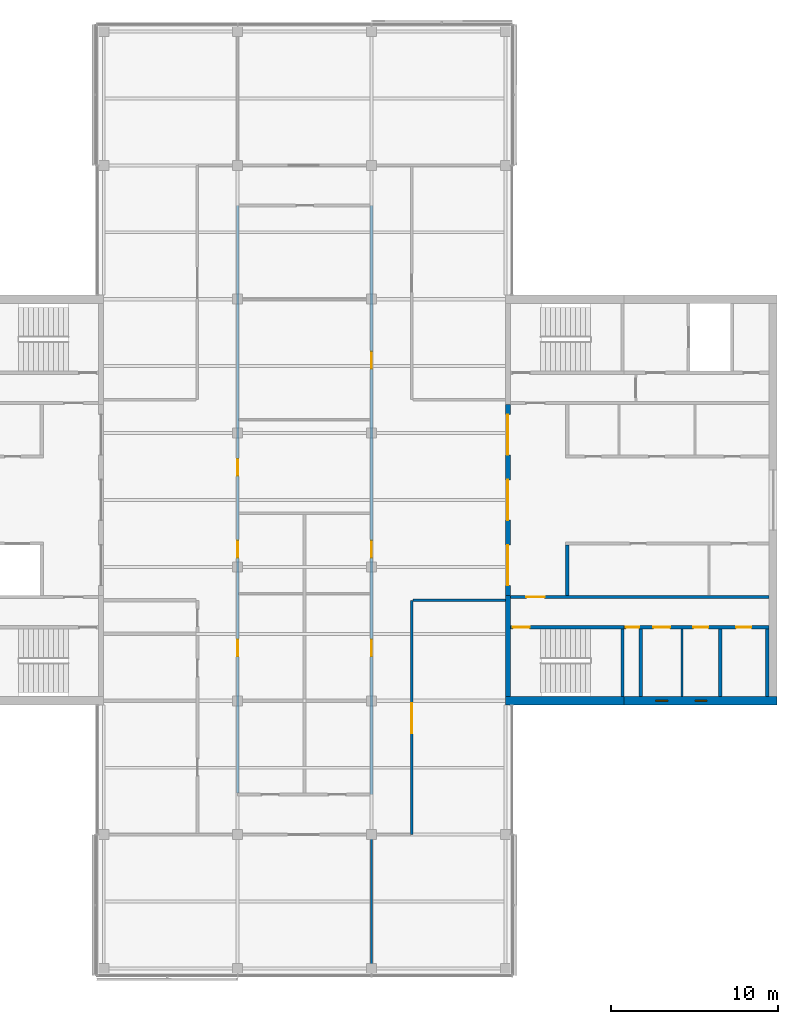
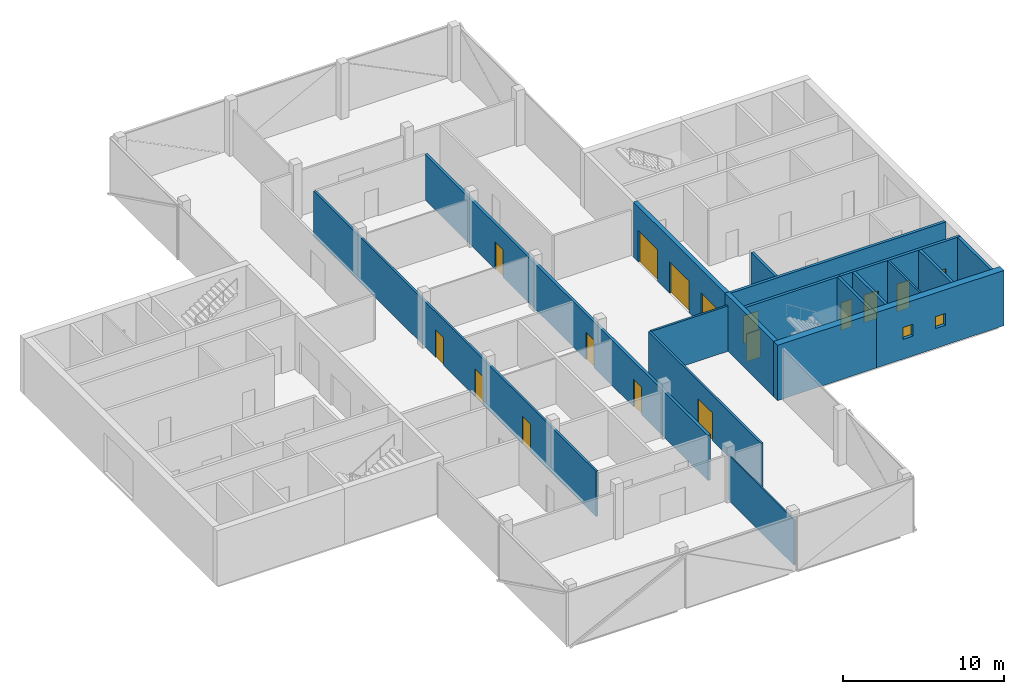
# One storey, part 10 of 15: 18 walls, 16 doors, 2 windows, 18 openings.
"""IFC4 building model written with IfcOpenShell, lengths in metres."""

import ifcopenshell
import ifcopenshell.guid

model = None  # the IFC model being written
_history = None  # IfcOwnerHistory: only IFC2X3 demands one
_inside = {}  # id of a spatial element -> (the spatial element, [elements in it])
_under = {}  # id of a project, library or spatial element -> (it, [spatial elements below it])
_declared = {}  # id of a project -> (the project, [libraries it declares])
_typed = {}  # id of a type object -> (the type object, [elements of that type])
_made_of = {}  # id of a material, layer set ... -> (it, [elements and type objects made of it])


def new_model(schema):
    """Start an empty IFC model of exactly this schema.

    Asked for "IFC4X3", IfcOpenShell would pick the latest addendum, in which some entities
    have other attributes; the version numbers below select the first issue.
    IFC2X3 requires an IfcOwnerHistory on every rooted entity: one is made here for all.
    """
    global model, _history
    if schema == "IFC4X3":
        model = ifcopenshell.file(schema_version=(4, 3, 0, 0))
    else:
        model = ifcopenshell.file(schema=schema)
    _inside.clear()
    _under.clear()
    _declared.clear()
    _typed.clear()
    _made_of.clear()
    _history = None
    if model.schema == "IFC2X3":
        org = make("IfcOrganization", Name="unknown")
        user = make(
            "IfcPersonAndOrganization",
            ThePerson=make("IfcPerson", FamilyName="unknown"),
            TheOrganization=org,
        )
        app = make(
            "IfcApplication",
            ApplicationDeveloper=org,
            Version="unknown",
            ApplicationFullName="unknown",
            ApplicationIdentifier="unknown",
        )
        _history = make(
            "IfcOwnerHistory",
            OwningUser=user,
            OwningApplication=app,
            ChangeAction="ADDED",
            CreationDate=0,
        )
    return model


def make(cls, **values):
    """One entity of the class cls with the attributes given. An attribute that is None is left unset."""
    return model.create_entity(
        cls, **{name: value for name, value in values.items() if value is not None}
    )


def rooted(cls, **values):
    """An entity with a GlobalId (a new one), such as an element, a storey or a relation."""
    return make(cls, GlobalId=ifcopenshell.guid.new(), OwnerHistory=_history, **values)


def si_unit(unit_type, name, prefix=None):
    """IfcSIUnit, for example si_unit("LENGTHUNIT", "METRE", prefix="MILLI")."""
    return make("IfcSIUnit", UnitType=unit_type, Prefix=prefix, Name=name)


def assignment(units):
    """IfcUnitAssignment: the units of a project."""
    return None if units is None else make("IfcUnitAssignment", Units=units)


def point(xyz):
    """IfcCartesianPoint."""
    return None if xyz is None else make("IfcCartesianPoint", Coordinates=xyz)


def direction(xyz):
    """IfcDirection."""
    return None if xyz is None else make("IfcDirection", DirectionRatios=xyz)


def frame(location, z_axis=None, x_axis=None):
    """IfcAxis2Placement3D, a coordinate frame: its origin and axes. An axis left out is left unset."""
    return make(
        "IfcAxis2Placement3D",
        Location=point(location),
        Axis=direction(z_axis),
        RefDirection=direction(x_axis),
    )


def frame_2d(location, x_axis=None):
    """IfcAxis2Placement2D, a coordinate frame in the plane: its origin and x axis."""
    return make(
        "IfcAxis2Placement2D", Location=point(location), RefDirection=direction(x_axis)
    )


def origin():
    """The frame at (0, 0, 0) with its axes left unset."""
    return frame((0.0, 0.0, 0.0))


def place(relative_to, where):
    """IfcLocalPlacement: puts the frame where relative to a parent placement (None: the world)."""
    return make(
        "IfcLocalPlacement", PlacementRelTo=relative_to, RelativePlacement=where
    )


def context(
    kind, dimensions, precision=None, world=None, true_north=None, identifier=None
):
    """IfcGeometricRepresentationContext, for example the 3D "Model" context."""
    return make(
        "IfcGeometricRepresentationContext",
        ContextIdentifier=identifier,
        ContextType=kind,
        CoordinateSpaceDimension=dimensions,
        Precision=precision,
        WorldCoordinateSystem=world,
        TrueNorth=true_north,
    )


def subcontext(parent, identifier, kind, view, scale=None):
    """IfcGeometricRepresentationSubContext, for example "Body" below "Model"."""
    return make(
        "IfcGeometricRepresentationSubContext",
        ContextIdentifier=identifier,
        ContextType=kind,
        ParentContext=parent,
        TargetScale=scale,
        TargetView=view,
    )


def project(units=None, contexts=None):
    """IfcProject with its units and contexts."""
    return rooted(
        "IfcProject",
        Name="project",
        RepresentationContexts=contexts,
        UnitsInContext=assignment(units),
    )


def spatial(cls, under=None, at=None, **own):
    """A site, building, storey or space (cls), placed at a placement, below another one or the project."""
    s = rooted(cls, ObjectPlacement=at, **own)
    if under is not None:
        _under.setdefault(under.id(), (under, []))[1].append(s)
    return s


def profile(cls, at=None, kind="AREA", **sizes):
    """A parametric profile (cls). Its sizes go by their IFC names, for example OverallWidth=200.0."""
    return make(cls, ProfileType=kind, Position=at, **sizes)


def rectangle(**sizes):
    """IfcRectangleProfileDef."""
    return profile("IfcRectangleProfileDef", **sizes)


def extrude(swept, where, along, depth):
    """IfcExtrudedAreaSolid: the profile swept, set in the frame where, extruded along a direction by depth."""
    return make(
        "IfcExtrudedAreaSolid",
        SweptArea=swept,
        Position=where,
        ExtrudedDirection=direction(along),
        Depth=depth,
    )


def shape(context_of_items, identifier, shape_type, items):
    """IfcShapeRepresentation: the items that make up one representation, for example the "Body"."""
    return make(
        "IfcShapeRepresentation",
        ContextOfItems=context_of_items,
        RepresentationIdentifier=identifier,
        RepresentationType=shape_type,
        Items=items,
    )


def material(Name=None, Category=None):
    """IfcMaterial."""
    return make("IfcMaterial", Name=Name, Category=Category)


def layer(
    of_material, thickness, ventilated=None, Name=None, Category=None, Priority=None
):
    """IfcMaterialLayer: one layer of a wall or slab, of a material (None: an air gap)."""
    return make(
        "IfcMaterialLayer",
        Material=of_material,
        LayerThickness=thickness,
        IsVentilated=ventilated,
        Name=Name,
        Category=Category,
        Priority=Priority,
    )


def layer_set(layers, Name=None):
    """IfcMaterialLayerSet."""
    return make("IfcMaterialLayerSet", MaterialLayers=layers, LayerSetName=Name)


def constituent(of_material, Name=None, Category=None, fraction=None):
    """IfcMaterialConstituent: one of the materials an element consists of."""
    return make(
        "IfcMaterialConstituent",
        Name=Name,
        Material=of_material,
        Fraction=fraction,
        Category=Category,
    )


def constituent_set(constituents=None, Name=None):
    """IfcMaterialConstituentSet."""
    return make(
        "IfcMaterialConstituentSet", Name=Name, MaterialConstituents=constituents
    )


def made_of(thing, what):
    """Note that an element or type object is made of a material, layer set ...; save() writes the relation."""
    if what is not None:
        _made_of.setdefault(what.id(), (what, []))[1].append(thing)
    return thing


def type_object(cls, material=None, **own):
    """A type object (cls), such as IfcWallType, which elements share."""
    return made_of(rooted(cls, **own), material)


def element(
    cls,
    number,
    at=None,
    inside=None,
    cuts=None,
    type_object=None,
    material=None,
    context=None,
    identifier="Body",
    shape_type=None,
    held_by="IfcProductDefinitionShape",
    body=None,
    shapes=None,
    **own,
):
    """One element of the class cls, such as IfcWall. Its Tag is "e" and its number.

    at: its placement. inside: the storey or other place that contains it. cuts: it is an
    opening in that element (IfcRelVoidsElement). A single representation is given by context,
    identifier, shape_type and body (its items); several are given by shapes. held_by: the class
    of the entity that holds the representations. save() writes the other relations.
    """
    e = rooted(cls, Tag="e%d" % number, ObjectPlacement=at, **own)
    if body is not None:
        shapes = [shape(context, identifier, shape_type, body)]
    if shapes is not None:
        e.Representation = make(held_by, Representations=shapes)
    if inside is not None:
        _inside.setdefault(inside.id(), (inside, []))[1].append(e)
    if cuts is not None:
        rooted(
            "IfcRelVoidsElement", RelatingBuildingElement=cuts, RelatedOpeningElement=e
        )
    if type_object is not None:
        _typed.setdefault(type_object.id(), (type_object, []))[1].append(e)
    return made_of(e, material)


def fill(opening, filler):
    """IfcRelFillsElement: the door or window that sits in an opening."""
    return rooted(
        "IfcRelFillsElement",
        RelatingOpeningElement=opening,
        RelatedBuildingElement=filler,
    )


def aggregate(whole, parts):
    """IfcRelAggregates: a whole, such as a stair, and the parts it consists of."""
    return rooted("IfcRelAggregates", RelatingObject=whole, RelatedObjects=parts)


def save(model, path):
    """Write the relations noted so far, then the file.

    IfcRelAggregates (storeys below a building ...), IfcRelContainedInSpatialStructure (elements
    in a storey), IfcRelDefinesByType, IfcRelAssociatesMaterial and IfcRelDeclares: one each for
    every whole, place, type object, material and project.
    """
    for whole, parts in _under.values():
        aggregate(whole, parts)
    for where, things in _inside.values():
        rooted(
            "IfcRelContainedInSpatialStructure",
            RelatedElements=things,
            RelatingStructure=where,
        )
    for kind, things in _typed.values():
        rooted("IfcRelDefinesByType", RelatedObjects=things, RelatingType=kind)
    for what, things in _made_of.values():
        rooted("IfcRelAssociatesMaterial", RelatedObjects=things, RelatingMaterial=what)
    for by, libraries in _declared.values():
        rooted("IfcRelDeclares", RelatingContext=by, RelatedDefinitions=libraries)
    model.write(path)


model = new_model("IFC4")

# Units and contexts
model_context = context("Model", 3, precision=1e-05, world=origin(), true_north=direction((0.0, 1.0)))
body_context = subcontext(model_context, "Body", "Model", "MODEL_VIEW")
ifc_project = project(units=[si_unit("LENGTHUNIT", "METRE"), si_unit("AREAUNIT", "SQUARE_METRE"), si_unit("VOLUMEUNIT", "CUBIC_METRE"), si_unit("PLANEANGLEUNIT", "RADIAN"), si_unit("MASSUNIT", "GRAM", prefix="KILO")], contexts=[model_context])

# Site, building, storey
site_placement = place(None, origin())
site = spatial("IfcSite", under=ifc_project, at=site_placement, CompositionType="ELEMENT")
building_placement = place(site_placement, origin())
building = spatial("IfcBuilding", under=site, at=building_placement, Name="Crosswind Convention Tower", CompositionType="ELEMENT")
storey_placement = place(building_placement, frame((0.0, 0.0, 319.699951171875)))
storey = spatial("IfcBuildingStorey", under=building, at=storey_placement, Name="L69", CompositionType="ELEMENT", Elevation=319.699951171875)

# Wall
ifc_material_1 = material(Name="Concrete blockwork", Category="masonry")
ifc_layer_1 = layer(ifc_material_1, 0.199951171875)
ifc_layer_set_1 = layer_set([ifc_layer_1], Name="Blockwork partition wall 200")
wall_type_1 = type_object("IfcWallType", Name="Blockwork partition wall 200", PredefinedType="PARTITIONING", material=ifc_layer_set_1)
wall_1_placement = place(storey_placement, frame((145.10009765625, 88.25, 0.0), z_axis=(0.0, 0.0, 1.0), x_axis=(0.0, 1.0, 0.0)))
element("IfcWall", 1, at=wall_1_placement, inside=storey, type_object=wall_type_1, Name="Wall MRSE E L69", PredefinedType="PARTITIONING", context=body_context, shape_type="SweptSolid", body=[
    extrude(rectangle(XDim=4.050048828125, YDim=0.199951171875, at=frame_2d((2.02490234375, 0.0))), origin(), (0.0, 0.0, 1.0), 4.199951171875),
])

# Wall, openings, doors
ifc_layer_2 = layer(ifc_material_1, 0.199951171875)
ifc_layer_set_2 = layer_set([ifc_layer_2], Name="COMPARTMENT WALL 200 BLOCKWORK")
wall_type_2 = type_object("IfcWallType", Name="COMPARTMENT WALL 200 BLOCKWORK", PredefinedType="SOLIDWALL", material=ifc_layer_set_2)
wall_2_placement = place(storey_placement, frame((129.0, 82.39990234375, 0.0), z_axis=(0.0, 0.0, 1.0), x_axis=(0.0, 1.0, 0.0)))
wall_2 = element("IfcWall", 2, at=wall_2_placement, inside=storey, type_object=wall_type_2, Name="Compartment wall WT42", PredefinedType="SOLIDWALL", context=body_context, shape_type="SweptSolid", body=[
    extrude(rectangle(XDim=35.2001953125, YDim=0.199951171875, at=frame_2d((17.60009765625, 0.0))), origin(), (0.0, 0.0, 1.0), 3.44287109375),
])
opening_1_placement = place(wall_2_placement, frame((8.25, 0.0, 0.0)))
opening_1 = element("IfcOpeningElement", 3, at=opening_1_placement, cuts=wall_2, Name="Opening L69-61", PredefinedType="OPENING", context=body_context, shape_type="SweptSolid", body=[
    extrude(rectangle(XDim=1.0, YDim=2.10009765625, at=frame_2d((0.5, 1.050048828125))), frame((0.0, 0.10986328125, 0.0), z_axis=(0.0, -1.0, 0.0), x_axis=(1.0, 0.0, 0.0)), (0.0, 0.0, 1.0), 0.219970703125),
])
opening_2_placement = place(wall_2_placement, frame((14.14990234375, 0.0, 0.0)))
opening_2 = element("IfcOpeningElement", 4, at=opening_2_placement, cuts=wall_2, Name="Opening L69-63", PredefinedType="OPENING", context=body_context, shape_type="SweptSolid", body=[
    extrude(rectangle(XDim=1.0, YDim=2.10009765625, at=frame_2d((0.5, 1.050048828125))), frame((0.0, 0.10986328125, 0.0), z_axis=(0.0, -1.0, 0.0), x_axis=(1.0, 0.0, 0.0)), (0.0, 0.0, 1.0), 0.219970703125),
])
opening_3_placement = place(wall_2_placement, frame((25.449951171875, 0.0, 0.0)))
opening_3 = element("IfcOpeningElement", 5, at=opening_3_placement, cuts=wall_2, Name="Opening L69-65", PredefinedType="OPENING", context=body_context, shape_type="SweptSolid", body=[
    extrude(rectangle(XDim=1.0, YDim=2.10009765625, at=frame_2d((0.5, 1.050048828125))), frame((0.0, 0.10986328125, 0.0), z_axis=(0.0, -1.0, 0.0), x_axis=(1.0, 0.0, 0.0)), (0.0, 0.0, 1.0), 0.219970703125),
])
ifc_material_2 = material(Name="Timber fire door", Category="wood")
door_type_1 = type_object("IfcDoorType", Name="TENANCY ENTRANCE DOOR 1000X2100 FD30S", OperationType="NOTDEFINED", PredefinedType="DOOR", material=ifc_material_2)
door_1_placement = place(opening_1_placement, origin())
door_1 = element("IfcDoor", 6, at=door_1_placement, inside=storey, type_object=door_type_1, Name="Door L69-61", ObjectType="D41", OperationType="SINGLE_SWING_LEFT", OverallHeight=2.10009765625, OverallWidth=1.0, PredefinedType="DOOR", context=body_context, shape_type="SweptSolid", body=[
    extrude(rectangle(XDim=1.0, YDim=2.10009765625, at=frame_2d((0.5, 1.050048828125))), frame((0.0, 0.02490234375, 0.0), z_axis=(0.0, -1.0, 0.0), x_axis=(1.0, 0.0, 0.0)), (0.0, 0.0, 1.0), 0.050048828125),
])
fill(opening_1, door_1)
door_2_placement = place(opening_2_placement, origin())
door_2 = element("IfcDoor", 7, at=door_2_placement, inside=storey, type_object=door_type_1, Name="Door L69-63", ObjectType="D41", OperationType="SINGLE_SWING_LEFT", OverallHeight=2.10009765625, OverallWidth=1.0, PredefinedType="DOOR", context=body_context, shape_type="SweptSolid", body=[
    extrude(rectangle(XDim=1.0, YDim=2.10009765625, at=frame_2d((0.5, 1.050048828125))), frame((0.0, 0.02490234375, 0.0), z_axis=(0.0, -1.0, 0.0), x_axis=(1.0, 0.0, 0.0)), (0.0, 0.0, 1.0), 0.050048828125),
])
fill(opening_2, door_2)
door_3_placement = place(opening_3_placement, origin())
door_3 = element("IfcDoor", 8, at=door_3_placement, inside=storey, type_object=door_type_1, Name="Door L69-65", ObjectType="D41", OperationType="SINGLE_SWING_RIGHT", OverallHeight=2.10009765625, OverallWidth=1.0, PredefinedType="DOOR", context=body_context, shape_type="SweptSolid", body=[
    extrude(rectangle(XDim=1.0, YDim=2.10009765625, at=frame_2d((0.5, 1.050048828125))), frame((0.0, 0.02490234375, 0.0), z_axis=(0.0, -1.0, 0.0), x_axis=(1.0, 0.0, 0.0)), (0.0, 0.0, 1.0), 0.050048828125),
])
fill(opening_3, door_3)

ifc_material_3 = material(Name="Concrete C50/60", Category="concrete")
ifc_layer_3 = layer(ifc_material_3, 0.300048828125)
ifc_layer_set_3 = layer_set([ifc_layer_3], Name="Concrete C50/60")
wall_type_3 = type_object("IfcWallType", Name="Concrete inner core wall 300", PredefinedType="SHEAR", material=ifc_layer_set_3)
wall_3_placement = place(storey_placement, frame((137.14990234375, 94.300048828125, 0.0), z_axis=(0.0, 0.0, 1.0), x_axis=(0.0, 1.0, 0.0)))
wall_3 = element("IfcWall", 9, at=wall_3_placement, inside=storey, type_object=wall_type_3, Name="Wall SCR E L69", PredefinedType="SHEAR", context=body_context, shape_type="SweptSolid", body=[
    extrude(rectangle(XDim=11.39990234375, YDim=0.300048828125, at=frame_2d((5.699951171875, 0.0))), origin(), (0.0, 0.0, 1.0), 4.199951171875),
])
opening_4_placement = place(wall_3_placement, frame((0.60009765625, 0.0, 0.0)))
opening_4 = element("IfcOpeningElement", 10, at=opening_4_placement, cuts=wall_3, Name="Opening D100", PredefinedType="OPENING", context=body_context, shape_type="SweptSolid", body=[
    extrude(rectangle(XDim=2.39990234375, YDim=2.39990234375, at=frame_2d((1.199951171875, 1.199951171875))), frame((0.0, 0.159912109375, 0.0), z_axis=(0.0, -1.0, 0.0), x_axis=(1.0, 0.0, 0.0)), (0.0, 0.0, 1.0), 0.320068359375),
])
opening_5_placement = place(wall_3_placement, frame((4.5, 0.0, 0.0)))
opening_5 = element("IfcOpeningElement", 11, at=opening_5_placement, cuts=wall_3, Name="Opening D100", PredefinedType="OPENING", context=body_context, shape_type="SweptSolid", body=[
    extrude(rectangle(XDim=2.39990234375, YDim=2.39990234375, at=frame_2d((1.199951171875, 1.199951171875))), frame((0.0, 0.159912109375, 0.0), z_axis=(0.0, -1.0, 0.0), x_axis=(1.0, 0.0, 0.0)), (0.0, 0.0, 1.0), 0.320068359375),
])
opening_6_placement = place(wall_3_placement, frame((8.39990234375, 0.0, 0.0)))
opening_6 = element("IfcOpeningElement", 12, at=opening_6_placement, cuts=wall_3, Name="Opening D100", PredefinedType="OPENING", context=body_context, shape_type="SweptSolid", body=[
    extrude(rectangle(XDim=2.39990234375, YDim=2.39990234375, at=frame_2d((1.199951171875, 1.199951171875))), frame((0.0, 0.159912109375, 0.0), z_axis=(0.0, -1.0, 0.0), x_axis=(1.0, 0.0, 0.0)), (0.0, 0.0, 1.0), 0.320068359375),
])
ifc_material_4 = material(Name="Steel fire door with glazed vision panels", Category="steel")
door_type_2 = type_object("IfcDoorType", Name="Fire-rated double door 2400x2400", OperationType="DOUBLE_DOOR_SINGLE_SWING", PredefinedType="DOOR", material=ifc_material_4)
door_4_placement = place(opening_4_placement, origin())
door_4 = element("IfcDoor", 13, at=door_4_placement, inside=storey, type_object=door_type_2, Name="Lobby door 1 L69", ObjectType="D100", OperationType="DOUBLE_DOOR_SINGLE_SWING", OverallHeight=2.39990234375, OverallWidth=2.39990234375, PredefinedType="DOOR", context=body_context, shape_type="SweptSolid", body=[
    extrude(rectangle(XDim=2.39990234375, YDim=2.39990234375, at=frame_2d((1.199951171875, 1.199951171875))), frame((0.0, 0.02490234375, 0.0), z_axis=(0.0, -1.0, 0.0), x_axis=(1.0, 0.0, 0.0)), (0.0, 0.0, 1.0), 0.050048828125),
])
fill(opening_4, door_4)
door_5_placement = place(opening_5_placement, origin())
door_5 = element("IfcDoor", 14, at=door_5_placement, inside=storey, type_object=door_type_2, Name="Lobby door 2 L69", ObjectType="D100", OperationType="DOUBLE_DOOR_SINGLE_SWING", OverallHeight=2.39990234375, OverallWidth=2.39990234375, PredefinedType="DOOR", context=body_context, shape_type="SweptSolid", body=[
    extrude(rectangle(XDim=2.39990234375, YDim=2.39990234375, at=frame_2d((1.199951171875, 1.199951171875))), frame((0.0, 0.02490234375, 0.0), z_axis=(0.0, -1.0, 0.0), x_axis=(1.0, 0.0, 0.0)), (0.0, 0.0, 1.0), 0.050048828125),
])
fill(opening_5, door_5)
door_6_placement = place(opening_6_placement, origin())
door_6 = element("IfcDoor", 15, at=door_6_placement, inside=storey, type_object=door_type_2, Name="Lobby door 3 L69", ObjectType="D100", OperationType="DOUBLE_DOOR_SINGLE_SWING", OverallHeight=2.39990234375, OverallWidth=2.39990234375, PredefinedType="DOOR", context=body_context, shape_type="SweptSolid", body=[
    extrude(rectangle(XDim=2.39990234375, YDim=2.39990234375, at=frame_2d((1.199951171875, 1.199951171875))), frame((0.0, 0.02490234375, 0.0), z_axis=(0.0, -1.0, 0.0), x_axis=(1.0, 0.0, 0.0)), (0.0, 0.0, 1.0), 0.050048828125),
])
fill(opening_6, door_6)

# Walls
wall_4_placement = place(storey_placement, frame((137.14990234375, 88.25, 0.0), z_axis=(0.0, 0.0, 1.0), x_axis=(0.0, 1.0, 0.0)))
element("IfcWall", 16, at=wall_4_placement, inside=storey, type_object=wall_type_3, Name="Wall EM E L69", PredefinedType="SHEAR", context=body_context, shape_type="SweptSolid", body=[
    extrude(rectangle(XDim=6.050048828125, YDim=0.300048828125, at=frame_2d((3.02490234375, 0.0))), origin(), (0.0, 0.0, 1.0), 4.199951171875),
])
ifc_layer_4 = layer(ifc_material_3, 0.199951171875)
ifc_layer_set_4 = layer_set([ifc_layer_4], Name="Concrete C50/60")
wall_type_4 = type_object("IfcWallType", Name="Concrete shaft and stair wall 200", PredefinedType="SHEAR", material=ifc_layer_set_4)
wall_5_placement = place(storey_placement, frame((140.699951171875, 94.300048828125, 0.0), z_axis=(0.0, 0.0, 1.0), x_axis=(0.0, 1.0, 0.0)))
element("IfcWall", 17, at=wall_5_placement, inside=storey, type_object=wall_type_4, Name="Wall RMEND E L69", PredefinedType="SHEAR", context=body_context, shape_type="SweptSolid", body=[
    extrude(rectangle(XDim=3.0, YDim=0.199951171875, at=frame_2d((1.5, 0.0))), origin(), (0.0, 0.0, 1.0), 4.199951171875),
])

# Wall, opening, door
wall_6_placement = place(storey_placement, frame((137.300048828125, 94.199951171875, 0.0), z_axis=(0.0, 0.0, 1.0), x_axis=(1.0, 0.0, 0.0)))
wall_6 = element("IfcWall", 18, at=wall_6_placement, inside=storey, type_object=wall_type_4, Name="Wall HM E L69", PredefinedType="SHEAR", context=body_context, shape_type="SweptSolid", body=[
    extrude(rectangle(XDim=15.449951171875, YDim=0.199951171875, at=frame_2d((7.72509765625, 0.0))), origin(), (0.0, 0.0, 1.0), 4.199951171875),
])
opening_7_placement = place(wall_6_placement, frame((0.949951171875, 0.0, 0.0)))
opening_7 = element("IfcOpeningElement", 19, at=opening_7_placement, cuts=wall_6, Name="Opening D104", PredefinedType="OPENING", context=body_context, shape_type="SweptSolid", body=[
    extrude(rectangle(XDim=1.10009765625, YDim=2.10009765625, at=frame_2d((0.550048828125, 1.050048828125))), frame((0.0, 0.10986328125, 0.0), z_axis=(0.0, -1.0, 0.0), x_axis=(1.0, 0.0, 0.0)), (0.0, 0.0, 1.0), 0.219970703125),
])
ifc_material_5 = material(Name="Steel fire door", Category="steel")
door_type_3 = type_object("IfcDoorType", Name="Fire-rated single door 1100x2100", OperationType="NOTDEFINED", PredefinedType="DOOR", material=ifc_material_5)
door_7_placement = place(opening_7_placement, origin())
door_7 = element("IfcDoor", 20, at=door_7_placement, inside=storey, type_object=door_type_3, Name="Corridor door L69", ObjectType="D104", OperationType="SINGLE_SWING_LEFT", OverallHeight=2.10009765625, OverallWidth=1.10009765625, PredefinedType="DOOR", context=body_context, shape_type="SweptSolid", body=[
    extrude(rectangle(XDim=1.10009765625, YDim=2.10009765625, at=frame_2d((0.550048828125, 1.050048828125))), frame((0.0, 0.02490234375, 0.0), z_axis=(0.0, -1.0, 0.0), x_axis=(1.0, 0.0, 0.0)), (0.0, 0.0, 1.0), 0.050048828125),
])
fill(opening_7, door_7)

# Walls
for number, where, z_axis, x_axis, name in (
    (21, (144.0, 88.25, 0.0), (0.0, 0.0, 1.0), (0.0, 1.0, 0.0), "Wall MSE E L69"),
    (22, (149.85009765625, 88.25, 0.0), (0.0, 0.0, 1.0), (0.0, 1.0, 0.0), "Wall MFSW E L69"),
    (23, (152.64990234375, 88.25, 0.0), (0.0, 0.0, 1.0), (0.0, 1.0, 0.0), "Wall MFSE E L69"),
):
    element("IfcWall", number, at=place(storey_placement, frame(where, z_axis=z_axis, x_axis=x_axis)), inside=storey, type_object=wall_type_4, Name=name, PredefinedType="SHEAR", context=body_context, shape_type="SweptSolid", body=[
        extrude(rectangle(XDim=4.050048828125, YDim=0.199951171875, at=frame_2d((2.02490234375, 0.0))), origin(), (0.0, 0.0, 1.0), 4.199951171875),
    ])

# Wall, opening, door
wall_7_placement = place(storey_placement, frame((137.300048828125, 92.39990234375, 0.0), z_axis=(0.0, 0.0, 1.0), x_axis=(1.0, 0.0, 0.0)))
wall_7 = element("IfcWall", 24, at=wall_7_placement, inside=storey, type_object=wall_type_4, Name="Wall MCW E L69", PredefinedType="SHEAR", context=body_context, shape_type="SweptSolid", body=[
    extrude(rectangle(XDim=6.800048828125, YDim=0.199951171875, at=frame_2d((3.39990234375, 0.0))), origin(), (0.0, 0.0, 1.0), 4.199951171875),
])
opening_8_placement = place(wall_7_placement, frame((0.14990234375, 0.0, 0.0)))
opening_8 = element("IfcOpeningElement", 25, at=opening_8_placement, cuts=wall_7, Name="Opening D103", PredefinedType="OPENING", context=body_context, shape_type="SweptSolid", body=[
    extrude(rectangle(XDim=1.0, YDim=2.10009765625, at=frame_2d((0.5, 1.050048828125))), frame((0.0, 0.10986328125, 0.0), z_axis=(0.0, -1.0, 0.0), x_axis=(1.0, 0.0, 0.0)), (0.0, 0.0, 1.0), 0.219970703125),
])
door_type_4 = type_object("IfcDoorType", Name="Fire-rated single door 1000x2100", OperationType="NOTDEFINED", PredefinedType="DOOR", material=ifc_material_5)
door_8_placement = place(opening_8_placement, frame((1.0, 0.0, 0.0), z_axis=(0.0, 0.0, 1.0), x_axis=(-1.0, 0.0, 0.0)))
door_8 = element("IfcDoor", 26, at=door_8_placement, inside=storey, type_object=door_type_4, Name="Stair ST2 door L69", ObjectType="D103", OperationType="SINGLE_SWING_RIGHT", OverallHeight=2.10009765625, OverallWidth=1.0, PredefinedType="DOOR", context=body_context, shape_type="SweptSolid", body=[
    extrude(rectangle(XDim=1.0, YDim=2.10009765625, at=frame_2d((0.5, 1.050048828125))), frame((0.0, 0.02490234375, 0.0), z_axis=(0.0, -1.0, 0.0), x_axis=(1.0, 0.0, 0.0)), (0.0, 0.0, 1.0), 0.050048828125),
])
fill(opening_8, door_8)

# Wall, openings, doors
wall_8_placement = place(storey_placement, frame((144.10009765625, 92.39990234375, 0.0), z_axis=(0.0, 0.0, 1.0), x_axis=(1.0, 0.0, 0.0)))
wall_8 = element("IfcWall", 27, at=wall_8_placement, inside=storey, type_object=wall_type_4, Name="Wall MCX E L69", PredefinedType="SHEAR", context=body_context, shape_type="SweptSolid", body=[
    extrude(rectangle(XDim=8.64990234375, YDim=0.199951171875, at=frame_2d((4.324951171875, 0.0))), origin(), (0.0, 0.0, 1.0), 4.199951171875),
])
opening_9_placement = place(wall_8_placement, frame((0.10009765625, 0.0, 0.0)))
opening_9 = element("IfcOpeningElement", 28, at=opening_9_placement, cuts=wall_8, Name="Opening D105", PredefinedType="OPENING", context=body_context, shape_type="SweptSolid", body=[
    extrude(rectangle(XDim=0.800048828125, YDim=2.10009765625, at=frame_2d((0.39990234375, 1.050048828125))), frame((0.0, 0.10986328125, 0.0), z_axis=(0.0, -1.0, 0.0), x_axis=(1.0, 0.0, 0.0)), (0.0, 0.0, 1.0), 0.219970703125),
])
opening_10_placement = place(wall_8_placement, frame((1.751708984375, 0.0, 0.0)))
opening_10 = element("IfcOpeningElement", 29, at=opening_10_placement, cuts=wall_8, Name="Opening D103", PredefinedType="OPENING", context=body_context, shape_type="SweptSolid", body=[
    extrude(rectangle(XDim=1.0, YDim=2.10009765625, at=frame_2d((0.5, 1.050048828125))), frame((0.0, 0.10986328125, 0.0), z_axis=(0.0, -1.0, 0.0), x_axis=(1.0, 0.0, 0.0)), (0.0, 0.0, 1.0), 0.219970703125),
])
opening_11_placement = place(wall_8_placement, frame((4.13916015625, 0.0, 0.0)))
opening_11 = element("IfcOpeningElement", 30, at=opening_11_placement, cuts=wall_8, Name="Opening D106", PredefinedType="OPENING", context=body_context, shape_type="SweptSolid", body=[
    extrude(rectangle(XDim=0.89990234375, YDim=2.10009765625, at=frame_2d((0.449951171875, 1.050048828125))), frame((0.0, 0.10986328125, 0.0), z_axis=(0.0, -1.0, 0.0), x_axis=(1.0, 0.0, 0.0)), (0.0, 0.0, 1.0), 0.219970703125),
])
opening_12_placement = place(wall_8_placement, frame((6.699951171875, 0.0, 0.0)))
opening_12 = element("IfcOpeningElement", 31, at=opening_12_placement, cuts=wall_8, Name="Opening D106", PredefinedType="OPENING", context=body_context, shape_type="SweptSolid", body=[
    extrude(rectangle(XDim=0.89990234375, YDim=2.10009765625, at=frame_2d((0.449951171875, 1.050048828125))), frame((0.0, 0.10986328125, 0.0), z_axis=(0.0, -1.0, 0.0), x_axis=(1.0, 0.0, 0.0)), (0.0, 0.0, 1.0), 0.219970703125),
])
door_9_placement = place(opening_10_placement, frame((1.0, 0.0, 0.0), z_axis=(0.0, 0.0, 1.0), x_axis=(-1.0, 0.0, 0.0)))
door_9 = element("IfcDoor", 32, at=door_9_placement, inside=storey, type_object=door_type_4, Name="Door to accessible wc L69", ObjectType="D103", OperationType="SINGLE_SWING_LEFT", OverallHeight=2.10009765625, OverallWidth=1.0, PredefinedType="DOOR", context=body_context, shape_type="SweptSolid", body=[
    extrude(rectangle(XDim=1.0, YDim=2.10009765625, at=frame_2d((0.5, 1.050048828125))), frame((0.0, 0.02490234375, 0.0), z_axis=(0.0, -1.0, 0.0), x_axis=(1.0, 0.0, 0.0)), (0.0, 0.0, 1.0), 0.050048828125),
])
fill(opening_10, door_9)
door_type_5 = type_object("IfcDoorType", Name="Riser access door 800x2100", OperationType="NOTDEFINED", PredefinedType="DOOR", material=ifc_material_5)
door_10_placement = place(opening_9_placement, frame((0.800048828125, 0.0, 0.0), z_axis=(0.0, 0.0, 1.0), x_axis=(-1.0, 0.0, 0.0)))
door_10 = element("IfcDoor", 33, at=door_10_placement, inside=storey, type_object=door_type_5, Name="Riser door L69", ObjectType="D105", OperationType="SINGLE_SWING_LEFT", OverallHeight=2.10009765625, OverallWidth=0.800048828125, PredefinedType="DOOR", context=body_context, shape_type="SweptSolid", body=[
    extrude(rectangle(XDim=0.800048828125, YDim=2.10009765625, at=frame_2d((0.39990234375, 1.050048828125))), frame((0.0, 0.02490234375, 0.0), z_axis=(0.0, -1.0, 0.0), x_axis=(1.0, 0.0, 0.0)), (0.0, 0.0, 1.0), 0.050048828125),
])
fill(opening_9, door_10)
ifc_material_6 = material(Name="Timber door", Category="wood")
door_type_6 = type_object("IfcDoorType", Name="Single leaf door 900x2100", OperationType="NOTDEFINED", PredefinedType="DOOR", material=ifc_material_6)
door_11_placement = place(opening_11_placement, frame((0.89990234375, 0.0, 0.0), z_axis=(0.0, 0.0, 1.0), x_axis=(-1.0, 0.0, 0.0)))
door_11 = element("IfcDoor", 34, at=door_11_placement, inside=storey, type_object=door_type_6, Name="Door to wc L69", ObjectType="D106", OperationType="SINGLE_SWING_LEFT", OverallHeight=2.10009765625, OverallWidth=0.89990234375, PredefinedType="DOOR", context=body_context, shape_type="SweptSolid", body=[
    extrude(rectangle(XDim=0.89990234375, YDim=2.10009765625, at=frame_2d((0.449951171875, 1.050048828125))), frame((0.0, 0.02490234375, 0.0), z_axis=(0.0, -1.0, 0.0), x_axis=(1.0, 0.0, 0.0)), (0.0, 0.0, 1.0), 0.050048828125),
])
fill(opening_11, door_11)
door_12_placement = place(opening_12_placement, frame((0.89990234375, 0.0, 0.0), z_axis=(0.0, 0.0, 1.0), x_axis=(-1.0, 0.0, 0.0)))
door_12 = element("IfcDoor", 35, at=door_12_placement, inside=storey, type_object=door_type_6, Name="Door to wc L69", ObjectType="D106", OperationType="SINGLE_SWING_LEFT", OverallHeight=2.10009765625, OverallWidth=0.89990234375, PredefinedType="DOOR", context=body_context, shape_type="SweptSolid", body=[
    extrude(rectangle(XDim=0.89990234375, YDim=2.10009765625, at=frame_2d((0.449951171875, 1.050048828125))), frame((0.0, 0.02490234375, 0.0), z_axis=(0.0, -1.0, 0.0), x_axis=(1.0, 0.0, 0.0)), (0.0, 0.0, 1.0), 0.050048828125),
])
fill(opening_12, door_12)

# Walls
ifc_material_7 = material(Name="Gypsum plasterboard partition", Category="gypsum")
ifc_layer_5 = layer(ifc_material_7, 0.125)
ifc_layer_set_5 = layer_set([ifc_layer_5], Name="Drywall partition wall 125")
wall_type_5 = type_object("IfcWallType", Name="Drywall partition wall 125", PredefinedType="PARTITIONING", material=ifc_layer_set_5)
wall_9_placement = place(storey_placement, frame((147.56591796875, 88.25, 0.0), z_axis=(0.0, 0.0, 1.0), x_axis=(0.0, 1.0, 0.0)))
element("IfcWall", 36, at=wall_9_placement, inside=storey, type_object=wall_type_5, Name="Wall MWP1 E L69", PredefinedType="PARTITIONING", context=body_context, shape_type="SweptSolid", body=[
    extrude(rectangle(XDim=4.050048828125, YDim=0.125, at=frame_2d((2.02490234375, 0.0))), origin(), (0.0, 0.0, 1.0), 4.199951171875),
])
ifc_material_8 = material(Name="Plasterboard partition", Category="gypsum")
ifc_layer_6 = layer(ifc_material_8, 0.10009765625)
ifc_layer_set_6 = layer_set([ifc_layer_6], Name="PARTITION 100 METAL STUD")
wall_type_6 = type_object("IfcWallType", Name="PARTITION 100 METAL STUD", PredefinedType="PARTITIONING", material=ifc_layer_set_6)
wall_10_placement = place(storey_placement, frame((129.0, 71.780029296875, 0.0), z_axis=(0.0, 0.0, 1.0), x_axis=(0.0, 1.0, 0.0)))
element("IfcWall", 37, at=wall_10_placement, inside=storey, type_object=wall_type_6, Name="Partition wall WT40", PredefinedType="PARTITIONING", context=body_context, shape_type="SweptSolid", body=[
    extrude(rectangle(XDim=8.14501953125, YDim=0.10009765625, at=frame_2d((4.072509765625, 0.0))), origin(), (0.0, 0.0, 1.0), 3.44287109375),
])

# Wall, openings, doors
ifc_material_9 = material(Name="Fire-board partition with mineral wool", Category="gypsum")
ifc_layer_7 = layer(ifc_material_9, 0.14990234375)
ifc_layer_set_7 = layer_set([ifc_layer_7], Name="TENANCY WALL 150 TWO-HOUR BOARD")
wall_type_7 = type_object("IfcWallType", Name="TENANCY WALL 150 TWO-HOUR BOARD", PredefinedType="PARTITIONING", material=ifc_layer_set_7)
wall_11_placement = place(storey_placement, frame((121.0, 82.5, 0.0), z_axis=(0.0, 0.0, 1.0), x_axis=(0.0, 1.0, 0.0)))
wall_11 = element("IfcWall", 38, at=wall_11_placement, inside=storey, type_object=wall_type_7, Name="Tenancy wall WT41", PredefinedType="PARTITIONING", context=body_context, shape_type="SweptSolid", body=[
    extrude(rectangle(XDim=35.10009765625, YDim=0.14990234375, at=frame_2d((17.550048828125, 0.0))), origin(), (0.0, 0.0, 1.0), 3.44287109375),
])
opening_13_placement = place(wall_11_placement, frame((8.14990234375, 0.0, 0.0)))
opening_13 = element("IfcOpeningElement", 39, at=opening_13_placement, cuts=wall_11, Name="Opening L69-60", PredefinedType="OPENING", context=body_context, shape_type="SweptSolid", body=[
    extrude(rectangle(XDim=1.0, YDim=2.10009765625, at=frame_2d((0.5, 1.050048828125))), frame((0.0, 0.0849609375, 0.0), z_axis=(0.0, -1.0, 0.0), x_axis=(1.0, 0.0, 0.0)), (0.0, 0.0, 1.0), 0.169921875),
])
opening_14_placement = place(wall_11_placement, frame((14.050048828125, 0.0, 0.0)))
opening_14 = element("IfcOpeningElement", 40, at=opening_14_placement, cuts=wall_11, Name="Opening L69-62", PredefinedType="OPENING", context=body_context, shape_type="SweptSolid", body=[
    extrude(rectangle(XDim=1.0, YDim=2.10009765625, at=frame_2d((0.5, 1.050048828125))), frame((0.0, 0.0849609375, 0.0), z_axis=(0.0, -1.0, 0.0), x_axis=(1.0, 0.0, 0.0)), (0.0, 0.0, 1.0), 0.169921875),
])
opening_15_placement = place(wall_11_placement, frame((18.949951171875, 0.0, 0.0)))
opening_15 = element("IfcOpeningElement", 41, at=opening_15_placement, cuts=wall_11, Name="Opening L69-64", PredefinedType="OPENING", context=body_context, shape_type="SweptSolid", body=[
    extrude(rectangle(XDim=1.0, YDim=2.10009765625, at=frame_2d((0.5, 1.050048828125))), frame((0.0, 0.0849609375, 0.0), z_axis=(0.0, -1.0, 0.0), x_axis=(1.0, 0.0, 0.0)), (0.0, 0.0, 1.0), 0.169921875),
])
door_13_placement = place(opening_13_placement, frame((1.0, 0.0, 0.0), z_axis=(0.0, 0.0, 1.0), x_axis=(-1.0, 0.0, 0.0)))
door_13 = element("IfcDoor", 42, at=door_13_placement, inside=storey, type_object=door_type_1, Name="Door L69-60", ObjectType="D41", OperationType="SINGLE_SWING_RIGHT", OverallHeight=2.10009765625, OverallWidth=1.0, PredefinedType="DOOR", context=body_context, shape_type="SweptSolid", body=[
    extrude(rectangle(XDim=1.0, YDim=2.10009765625, at=frame_2d((0.5, 1.050048828125))), frame((0.0, 0.02490234375, 0.0), z_axis=(0.0, -1.0, 0.0), x_axis=(1.0, 0.0, 0.0)), (0.0, 0.0, 1.0), 0.050048828125),
])
fill(opening_13, door_13)
door_14_placement = place(opening_14_placement, frame((1.0, 0.0, 0.0), z_axis=(0.0, 0.0, 1.0), x_axis=(-1.0, 0.0, 0.0)))
door_14 = element("IfcDoor", 43, at=door_14_placement, inside=storey, type_object=door_type_1, Name="Door L69-62", ObjectType="D41", OperationType="SINGLE_SWING_RIGHT", OverallHeight=2.10009765625, OverallWidth=1.0, PredefinedType="DOOR", context=body_context, shape_type="SweptSolid", body=[
    extrude(rectangle(XDim=1.0, YDim=2.10009765625, at=frame_2d((0.5, 1.050048828125))), frame((0.0, 0.02490234375, 0.0), z_axis=(0.0, -1.0, 0.0), x_axis=(1.0, 0.0, 0.0)), (0.0, 0.0, 1.0), 0.050048828125),
])
fill(opening_14, door_14)
door_15_placement = place(opening_15_placement, frame((1.0, 0.0, 0.0), z_axis=(0.0, 0.0, 1.0), x_axis=(-1.0, 0.0, 0.0)))
door_15 = element("IfcDoor", 44, at=door_15_placement, inside=storey, type_object=door_type_1, Name="Door L69-64", ObjectType="D41", OperationType="SINGLE_SWING_LEFT", OverallHeight=2.10009765625, OverallWidth=1.0, PredefinedType="DOOR", context=body_context, shape_type="SweptSolid", body=[
    extrude(rectangle(XDim=1.0, YDim=2.10009765625, at=frame_2d((0.5, 1.050048828125))), frame((0.0, 0.02490234375, 0.0), z_axis=(0.0, -1.0, 0.0), x_axis=(1.0, 0.0, 0.0)), (0.0, 0.0, 1.0), 0.050048828125),
])
fill(opening_15, door_15)

# Wall, opening, door
wall_12_placement = place(storey_placement, frame((131.39990234375, 80.0, 0.0), z_axis=(0.0, 0.0, 1.0), x_axis=(0.0, 1.0, 0.0)))
wall_12 = element("IfcWall", 45, at=wall_12_placement, inside=storey, type_object=wall_type_7, Name="Tenancy wall WT41", PredefinedType="PARTITIONING", context=body_context, shape_type="SweptSolid", body=[
    extrude(rectangle(XDim=14.0, YDim=0.14990234375, at=frame_2d((7.0, 0.0))), origin(), (0.0, 0.0, 1.0), 3.44287109375),
])
opening_16_placement = place(wall_12_placement, frame((6.050048828125, 0.0, 0.0)))
opening_16 = element("IfcOpeningElement", 46, at=opening_16_placement, cuts=wall_12, Name="Opening L69-51", PredefinedType="OPENING", context=body_context, shape_type="SweptSolid", body=[
    extrude(rectangle(XDim=1.800048828125, YDim=2.10009765625, at=frame_2d((0.89990234375, 1.050048828125))), frame((0.0, 0.0849609375, 0.0), z_axis=(0.0, -1.0, 0.0), x_axis=(1.0, 0.0, 0.0)), (0.0, 0.0, 1.0), 0.169921875),
])
door_type_7 = type_object("IfcDoorType", Name="TENANCY ENTRANCE DOUBLE DOOR 1800X2100 FD30S", OperationType="DOUBLE_DOOR_SINGLE_SWING", PredefinedType="DOOR", material=ifc_material_2)
door_16_placement = place(opening_16_placement, frame((1.800048828125, 0.0, 0.0), z_axis=(0.0, 0.0, 1.0), x_axis=(-1.0, 0.0, 0.0)))
door_16 = element("IfcDoor", 47, at=door_16_placement, inside=storey, type_object=door_type_7, Name="Door L69-51", ObjectType="D42", OperationType="DOUBLE_DOOR_SINGLE_SWING", OverallHeight=2.10009765625, OverallWidth=1.800048828125, PredefinedType="DOOR", context=body_context, shape_type="SweptSolid", body=[
    extrude(rectangle(XDim=1.800048828125, YDim=2.10009765625, at=frame_2d((0.89990234375, 1.050048828125))), frame((0.0, 0.02490234375, 0.0), z_axis=(0.0, -1.0, 0.0), x_axis=(1.0, 0.0, 0.0)), (0.0, 0.0, 1.0), 0.050048828125),
])
fill(opening_16, door_16)

# Walls
wall_13_placement = place(storey_placement, frame((131.47509765625, 94.0, 0.0), z_axis=(0.0, 0.0, 1.0), x_axis=(1.0, 0.0, 0.0)))
element("IfcWall", 48, at=wall_13_placement, inside=storey, type_object=wall_type_7, Name="Tenancy wall WT41", PredefinedType="PARTITIONING", context=body_context, shape_type="SweptSolid", body=[
    extrude(rectangle(XDim=5.52490234375, YDim=0.14990234375, at=frame_2d((2.762451171875, 0.0))), origin(), (0.0, 0.0, 1.0), 3.44287109375),
])
ifc_material_10 = material(Name="Concrete C60/75", Category="concrete")
ifc_constituent_1 = constituent(ifc_material_10, Name="Structure")
ifc_material_11 = material(Name="Terracotta rainscreen", Category="ceramic")
ifc_constituent_2 = constituent(ifc_material_11, Name="Facing")
ifc_constituent_set = constituent_set(constituents=[ifc_constituent_1, ifc_constituent_2], Name="Concrete C60/75, Terracotta rainscreen")
wall_type_8 = type_object("IfcWallType", Name="Terracotta rainscreen on concrete core wall 500", PredefinedType="SHEAR", material=ifc_constituent_set)
wall_14_placement = place(storey_placement, frame((137.0, 88.0, 0.0), z_axis=(0.0, 0.0, 1.0), x_axis=(1.0, 0.0, 0.0)))
element("IfcWall", 49, at=wall_14_placement, inside=storey, type_object=wall_type_8, Name="Wall S1 E L69", PredefinedType="SHEAR", context=body_context, shape_type="SweptSolid", body=[
    extrude(rectangle(XDim=7.10009765625, YDim=0.5, at=frame_2d((3.550048828125, 0.0))), origin(), (0.0, 0.0, 1.0), 4.199951171875),
])

# Wall, openings, windows
wall_15_placement = place(storey_placement, frame((144.10009765625, 88.0, 0.0), z_axis=(0.0, 0.0, 1.0), x_axis=(1.0, 0.0, 0.0)))
wall_15 = element("IfcWall", 50, at=wall_15_placement, inside=storey, type_object=wall_type_8, Name="Wall S2 E L69", PredefinedType="SHEAR", context=body_context, shape_type="SweptSolid", body=[
    extrude(rectangle(XDim=9.14990234375, YDim=0.5, at=frame_2d((4.574951171875, 0.0))), origin(), (0.0, 0.0, 1.0), 4.199951171875),
])
opening_17_placement = place(wall_15_placement, frame((1.90185546875, 0.0, 1.5)))
opening_17 = element("IfcOpeningElement", 51, at=opening_17_placement, cuts=wall_15, Name="Opening W2", PredefinedType="OPENING", context=body_context, shape_type="SweptSolid", body=[
    extrude(rectangle(XDim=0.699951171875, YDim=0.89990234375, at=frame_2d((0.35009765625, 0.449951171875))), frame((0.0, 0.260009765625, 0.0), z_axis=(0.0, -1.0, 0.0), x_axis=(1.0, 0.0, 0.0)), (0.0, 0.0, 1.0), 0.52001953125),
])
opening_18_placement = place(wall_15_placement, frame((4.2392578125, 0.0, 1.5)))
opening_18 = element("IfcOpeningElement", 52, at=opening_18_placement, cuts=wall_15, Name="Opening W2", PredefinedType="OPENING", context=body_context, shape_type="SweptSolid", body=[
    extrude(rectangle(XDim=0.699951171875, YDim=0.89990234375, at=frame_2d((0.35009765625, 0.449951171875))), frame((0.0, 0.260009765625, 0.0), z_axis=(0.0, -1.0, 0.0), x_axis=(1.0, 0.0, 0.0)), (0.0, 0.0, 1.0), 0.52001953125),
])
ifc_material_12 = material(Name="Obscure glass in aluminium frame", Category="aluminium")
window_type = type_object("IfcWindowType", Name="WC window 700x900", PartitioningType="SINGLE_PANEL", PredefinedType="WINDOW", material=ifc_material_12)
window_1_placement = place(opening_17_placement, origin())
window_1 = element("IfcWindow", 53, at=window_1_placement, inside=storey, type_object=window_type, Name="WC window L69", ObjectType="W2", OverallHeight=0.89990234375, OverallWidth=0.699951171875, PartitioningType="SINGLE_PANEL", PredefinedType="WINDOW", context=body_context, shape_type="SweptSolid", body=[
    extrude(rectangle(XDim=0.699951171875, YDim=0.89990234375, at=frame_2d((0.35009765625, 0.449951171875))), frame((0.0, 0.030029296875, 0.0), z_axis=(0.0, -1.0, 0.0), x_axis=(1.0, 0.0, 0.0)), (0.0, 0.0, 1.0), 0.06005859375),
])
fill(opening_17, window_1)
window_2_placement = place(opening_18_placement, origin())
window_2 = element("IfcWindow", 54, at=window_2_placement, inside=storey, type_object=window_type, Name="WC window L69", ObjectType="W2", OverallHeight=0.89990234375, OverallWidth=0.699951171875, PartitioningType="SINGLE_PANEL", PredefinedType="WINDOW", context=body_context, shape_type="SweptSolid", body=[
    extrude(rectangle(XDim=0.699951171875, YDim=0.89990234375, at=frame_2d((0.35009765625, 0.449951171875))), frame((0.0, 0.030029296875, 0.0), z_axis=(0.0, -1.0, 0.0), x_axis=(1.0, 0.0, 0.0)), (0.0, 0.0, 1.0), 0.06005859375),
])
fill(opening_18, window_2)

save(model, "model.ifc")
